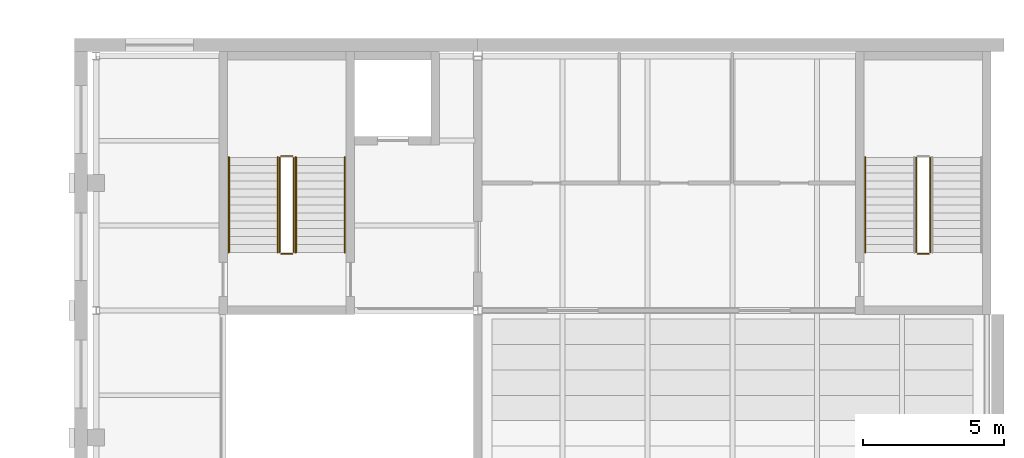
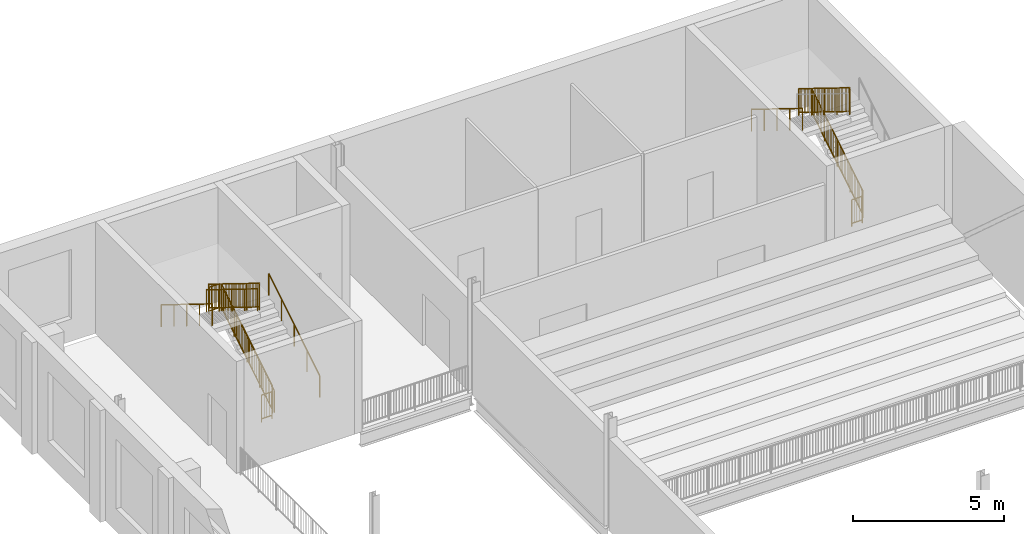
# One storey, part 73 of 74: 12 railings.
"""IFC4 building model written with IfcOpenShell, lengths in metres."""

from ifc_helpers import new_model, si_unit, direction, frame, origin, origin_2d, place, context, subcontext, project, spatial, circle, extrude, material, type_object, element, save


model = new_model("IFC4")

# Units and contexts
model_context = context("Model", 3, precision=1e-05, world=origin(), true_north=direction((0.0, 1.0)))
body_context = subcontext(model_context, "Body", "Model", "MODEL_VIEW")
ifc_project = project(units=[si_unit("LENGTHUNIT", "METRE"), si_unit("AREAUNIT", "SQUARE_METRE"), si_unit("VOLUMEUNIT", "CUBIC_METRE"), si_unit("PLANEANGLEUNIT", "RADIAN"), si_unit("MASSUNIT", "GRAM", prefix="KILO")], contexts=[model_context])

# Site, building, storey
site_placement = place(None, origin())
site = spatial("IfcSite", under=ifc_project, at=site_placement, CompositionType="ELEMENT")
building_placement = place(site_placement, origin())
building = spatial("IfcBuilding", under=site, at=building_placement, Name="Hortulan Conservatory and Botanical Research Centre", CompositionType="ELEMENT")
storey_placement = place(building_placement, frame((0.0, 0.0, 6.0)))
storey = spatial("IfcBuildingStorey", under=building, at=storey_placement, Name="L01", CompositionType="ELEMENT", Elevation=6.0)

# Railings
ifc_material_1 = material(Name="Steel balustrade, bronze-charcoal paint", Category="steel")
railing_type_1 = type_object("IfcRailingType", Name="Stair Guard 1100", PredefinedType="GUARDRAIL", material=ifc_material_1)
railing_1_placement = place(storey_placement, frame((83.5, 65.050048828125, 0.173095703125)))
element("IfcRailing", 1, at=railing_1_placement, inside=storey, type_object=railing_type_1, Name="Guard A1 L01 stair 1", PredefinedType="GUARDRAIL", context=body_context, shape_type="SweptSolid", body=[
    extrude(circle(Radius=0.02392578125, at=origin_2d()), frame((0.0, 0.0, 1.076171875), z_axis=(0.0, 0.850606129759, 0.525803396734), x_axis=(-1.0, 0.0, 0.0)), (0.0, 0.0, 1.0), 3.949951171875),
    extrude(circle(Radius=0.02392578125, at=origin_2d()), frame((0.0, 0.0, 0.1240234375), z_axis=(0.0, 0.850606129759, 0.525803396734), x_axis=(-1.0, 0.0, 0.0)), (0.0, 0.0, 1.0), 3.949951171875),
    extrude(circle(Radius=0.008056640625, at=origin_2d()), frame((0.0, 0.09326171875, 0.205810546875)), (0.0, 0.0, 1.0), 0.90380859375),
    extrude(circle(Radius=0.008056640625, at=origin_2d()), frame((0.0, 0.186767578125, 0.263671875)), (0.0, 0.0, 1.0), 0.90380859375),
    extrude(circle(Radius=0.008056640625, at=origin_2d()), frame((0.0, 0.280029296875, 0.3212890625)), (0.0, 0.0, 1.0), 0.90380859375),
    extrude(circle(Radius=0.008056640625, at=origin_2d()), frame((0.0, 0.373291015625, 0.37890625)), (0.0, 0.0, 1.0), 0.90380859375),
    extrude(circle(Radius=0.008056640625, at=origin_2d()), frame((0.0, 0.466552734375, 0.436767578125)), (0.0, 0.0, 1.0), 0.90380859375),
    extrude(circle(Radius=0.008056640625, at=origin_2d()), frame((0.0, 0.56005859375, 0.494384765625)), (0.0, 0.0, 1.0), 0.90380859375),
    extrude(circle(Radius=0.008056640625, at=origin_2d()), frame((0.0, 0.6533203125, 0.552001953125)), (0.0, 0.0, 1.0), 0.90380859375),
    extrude(circle(Radius=0.008056640625, at=origin_2d()), frame((0.0, 0.74658203125, 0.609619140625)), (0.0, 0.0, 1.0), 0.90380859375),
    extrude(circle(Radius=0.008056640625, at=origin_2d()), frame((0.0, 0.83984375, 0.66748046875)), (0.0, 0.0, 1.0), 0.90380859375),
    extrude(circle(Radius=0.008056640625, at=origin_2d()), frame((0.0, 0.933349609375, 0.72509765625)), (0.0, 0.0, 1.0), 0.90380859375),
    extrude(circle(Radius=0.008056640625, at=origin_2d()), frame((0.0, 1.026611328125, 0.78271484375)), (0.0, 0.0, 1.0), 0.90380859375),
    extrude(circle(Radius=0.008056640625, at=origin_2d()), frame((0.0, 1.119873046875, 0.840576171875)), (0.0, 0.0, 1.0), 0.90380859375),
    extrude(circle(Radius=0.008056640625, at=origin_2d()), frame((0.0, 1.21337890625, 0.898193359375)), (0.0, 0.0, 1.0), 0.90380859375),
    extrude(circle(Radius=0.008056640625, at=origin_2d()), frame((0.0, 1.306640625, 0.955810546875)), (0.0, 0.0, 1.0), 0.90380859375),
    extrude(circle(Radius=0.008056640625, at=origin_2d()), frame((0.0, 1.39990234375, 1.013671875)), (0.0, 0.0, 1.0), 0.90380859375),
    extrude(circle(Radius=0.008056640625, at=origin_2d()), frame((0.0, 1.4931640625, 1.0712890625)), (0.0, 0.0, 1.0), 0.90380859375),
    extrude(circle(Radius=0.008056640625, at=origin_2d()), frame((0.0, 1.586669921875, 1.12890625)), (0.0, 0.0, 1.0), 0.90380859375),
    extrude(circle(Radius=0.008056640625, at=origin_2d()), frame((0.0, 1.679931640625, 1.1865234375)), (0.0, 0.0, 1.0), 0.90380859375),
    extrude(circle(Radius=0.008056640625, at=origin_2d()), frame((0.0, 1.773193359375, 1.244384765625)), (0.0, 0.0, 1.0), 0.90380859375),
    extrude(circle(Radius=0.008056640625, at=origin_2d()), frame((0.0, 1.86669921875, 1.302001953125)), (0.0, 0.0, 1.0), 0.90380859375),
    extrude(circle(Radius=0.008056640625, at=origin_2d()), frame((0.0, 1.9599609375, 1.359619140625)), (0.0, 0.0, 1.0), 0.90380859375),
    extrude(circle(Radius=0.008056640625, at=origin_2d()), frame((0.0, 2.05322265625, 1.41748046875)), (0.0, 0.0, 1.0), 0.90380859375),
    extrude(circle(Radius=0.008056640625, at=origin_2d()), frame((0.0, 2.146484375, 1.47509765625)), (0.0, 0.0, 1.0), 0.90380859375),
    extrude(circle(Radius=0.008056640625, at=origin_2d()), frame((0.0, 2.239990234375, 1.53271484375)), (0.0, 0.0, 1.0), 0.90380859375),
    extrude(circle(Radius=0.008056640625, at=origin_2d()), frame((0.0, 2.333251953125, 1.590576171875)), (0.0, 0.0, 1.0), 0.90380859375),
    extrude(circle(Radius=0.008056640625, at=origin_2d()), frame((0.0, 2.426513671875, 1.648193359375)), (0.0, 0.0, 1.0), 0.90380859375),
    extrude(circle(Radius=0.008056640625, at=origin_2d()), frame((0.0, 2.52001953125, 1.705810546875)), (0.0, 0.0, 1.0), 0.90380859375),
    extrude(circle(Radius=0.008056640625, at=origin_2d()), frame((0.0, 2.61328125, 1.763671875)), (0.0, 0.0, 1.0), 0.90380859375),
    extrude(circle(Radius=0.008056640625, at=origin_2d()), frame((0.0, 2.70654296875, 1.8212890625)), (0.0, 0.0, 1.0), 0.90380859375),
    extrude(circle(Radius=0.008056640625, at=origin_2d()), frame((0.0, 2.7998046875, 1.87890625)), (0.0, 0.0, 1.0), 0.90380859375),
    extrude(circle(Radius=0.008056640625, at=origin_2d()), frame((0.0, 2.893310546875, 1.9365234375)), (0.0, 0.0, 1.0), 0.90380859375),
    extrude(circle(Radius=0.008056640625, at=origin_2d()), frame((0.0, 2.986572265625, 1.994384765625)), (0.0, 0.0, 1.0), 0.90380859375),
    extrude(circle(Radius=0.008056640625, at=origin_2d()), frame((0.0, 3.079833984375, 2.052001953125)), (0.0, 0.0, 1.0), 0.90380859375),
    extrude(circle(Radius=0.008056640625, at=origin_2d()), frame((0.0, 3.173095703125, 2.109619140625)), (0.0, 0.0, 1.0), 0.90380859375),
    extrude(circle(Radius=0.008056640625, at=origin_2d()), frame((0.0, 3.2666015625, 2.16748046875)), (0.0, 0.0, 1.0), 0.90380859375),
    extrude(circle(Radius=0.02099609375, at=origin_2d()), origin(), (0.0, 0.0, 1.0), 1.052001953125),
    extrude(circle(Radius=0.02099609375, at=origin_2d()), frame((0.0, 0.83984375, 0.519287109375)), (0.0, 0.0, 1.0), 1.052001953125),
    extrude(circle(Radius=0.02099609375, at=origin_2d()), frame((0.0, 1.679931640625, 1.03857421875)), (0.0, 0.0, 1.0), 1.052001953125),
    extrude(circle(Radius=0.02099609375, at=origin_2d()), frame((0.0, 2.52001953125, 1.5576171875)), (0.0, 0.0, 1.0), 1.052001953125),
    extrude(circle(Radius=0.02099609375, at=origin_2d()), frame((0.0, 3.35986328125, 2.076904296875)), (0.0, 0.0, 1.0), 1.052001953125),
])
railing_2_placement = place(storey_placement, frame((83.449951171875, 68.4599609375, 2.25)))
element("IfcRailing", 2, at=railing_2_placement, inside=storey, type_object=railing_type_1, Name="Guard A1 L01 stair 2", PredefinedType="GUARDRAIL", context=body_context, shape_type="SweptSolid", body=[
    extrude(circle(Radius=0.02392578125, at=origin_2d()), frame((0.0, 0.0, 1.076171875), z_axis=(-1.0, 0.0, 0.0), x_axis=(0.0, -1.0, 0.0)), (0.0, 0.0, 1.0), 0.39990234375),
    extrude(circle(Radius=0.02392578125, at=origin_2d()), frame((0.0, 0.0, 0.1240234375), z_axis=(-1.0, 0.0, 0.0), x_axis=(0.0, -1.0, 0.0)), (0.0, 0.0, 1.0), 0.39990234375),
    extrude(circle(Radius=0.008056640625, at=origin_2d()), frame((-0.10009765625, 0.0, 0.148193359375)), (0.0, 0.0, 1.0), 0.90380859375),
    extrude(circle(Radius=0.008056640625, at=origin_2d()), frame((-0.199951171875, 0.0, 0.148193359375)), (0.0, 0.0, 1.0), 0.90380859375),
    extrude(circle(Radius=0.008056640625, at=origin_2d()), frame((-0.2998046875, 0.0, 0.148193359375)), (0.0, 0.0, 1.0), 0.90380859375),
    extrude(circle(Radius=0.02099609375, at=origin_2d()), origin(), (0.0, 0.0, 1.0), 1.052001953125),
    extrude(circle(Radius=0.02099609375, at=origin_2d()), frame((-0.39990234375, 0.0, 0.0)), (0.0, 0.0, 1.0), 1.052001953125),
])
railing_3_placement = place(storey_placement, frame((83.0, 68.409912109375, 2.423095703125)))
element("IfcRailing", 3, at=railing_3_placement, inside=storey, type_object=railing_type_1, Name="Guard A1 L01 stair 3", PredefinedType="GUARDRAIL", context=body_context, shape_type="SweptSolid", body=[
    extrude(circle(Radius=0.02392578125, at=origin_2d()), frame((0.0, 0.0, 1.076171875), z_axis=(0.0, -0.850606129759, 0.525803396734), x_axis=(1.0, 0.0, 0.0)), (0.0, 0.0, 1.0), 3.949951171875),
    extrude(circle(Radius=0.02392578125, at=origin_2d()), frame((0.0, 0.0, 0.1240234375), z_axis=(0.0, -0.850606129759, 0.525803396734), x_axis=(1.0, 0.0, 0.0)), (0.0, 0.0, 1.0), 3.949951171875),
    extrude(circle(Radius=0.008056640625, at=origin_2d()), frame((0.0, -0.09326171875, 0.205810546875)), (0.0, 0.0, 1.0), 0.90380859375),
    extrude(circle(Radius=0.008056640625, at=origin_2d()), frame((0.0, -0.186767578125, 0.263671875)), (0.0, 0.0, 1.0), 0.90380859375),
    extrude(circle(Radius=0.008056640625, at=origin_2d()), frame((0.0, -0.280029296875, 0.3212890625)), (0.0, 0.0, 1.0), 0.90380859375),
    extrude(circle(Radius=0.008056640625, at=origin_2d()), frame((0.0, -0.373291015625, 0.37890625)), (0.0, 0.0, 1.0), 0.90380859375),
    extrude(circle(Radius=0.008056640625, at=origin_2d()), frame((0.0, -0.466552734375, 0.436767578125)), (0.0, 0.0, 1.0), 0.90380859375),
    extrude(circle(Radius=0.008056640625, at=origin_2d()), frame((0.0, -0.56005859375, 0.494384765625)), (0.0, 0.0, 1.0), 0.90380859375),
    extrude(circle(Radius=0.008056640625, at=origin_2d()), frame((0.0, -0.6533203125, 0.552001953125)), (0.0, 0.0, 1.0), 0.90380859375),
    extrude(circle(Radius=0.008056640625, at=origin_2d()), frame((0.0, -0.74658203125, 0.609619140625)), (0.0, 0.0, 1.0), 0.90380859375),
    extrude(circle(Radius=0.008056640625, at=origin_2d()), frame((0.0, -0.83984375, 0.66748046875)), (0.0, 0.0, 1.0), 0.90380859375),
    extrude(circle(Radius=0.008056640625, at=origin_2d()), frame((0.0, -0.933349609375, 0.72509765625)), (0.0, 0.0, 1.0), 0.90380859375),
    extrude(circle(Radius=0.008056640625, at=origin_2d()), frame((0.0, -1.026611328125, 0.78271484375)), (0.0, 0.0, 1.0), 0.90380859375),
    extrude(circle(Radius=0.008056640625, at=origin_2d()), frame((0.0, -1.119873046875, 0.840576171875)), (0.0, 0.0, 1.0), 0.90380859375),
    extrude(circle(Radius=0.008056640625, at=origin_2d()), frame((0.0, -1.21337890625, 0.898193359375)), (0.0, 0.0, 1.0), 0.90380859375),
    extrude(circle(Radius=0.008056640625, at=origin_2d()), frame((0.0, -1.306640625, 0.955810546875)), (0.0, 0.0, 1.0), 0.90380859375),
    extrude(circle(Radius=0.008056640625, at=origin_2d()), frame((0.0, -1.39990234375, 1.013671875)), (0.0, 0.0, 1.0), 0.90380859375),
    extrude(circle(Radius=0.008056640625, at=origin_2d()), frame((0.0, -1.4931640625, 1.0712890625)), (0.0, 0.0, 1.0), 0.90380859375),
    extrude(circle(Radius=0.008056640625, at=origin_2d()), frame((0.0, -1.586669921875, 1.12890625)), (0.0, 0.0, 1.0), 0.90380859375),
    extrude(circle(Radius=0.008056640625, at=origin_2d()), frame((0.0, -1.679931640625, 1.1865234375)), (0.0, 0.0, 1.0), 0.90380859375),
    extrude(circle(Radius=0.008056640625, at=origin_2d()), frame((0.0, -1.773193359375, 1.244384765625)), (0.0, 0.0, 1.0), 0.90380859375),
    extrude(circle(Radius=0.008056640625, at=origin_2d()), frame((0.0, -1.86669921875, 1.302001953125)), (0.0, 0.0, 1.0), 0.90380859375),
    extrude(circle(Radius=0.008056640625, at=origin_2d()), frame((0.0, -1.9599609375, 1.359619140625)), (0.0, 0.0, 1.0), 0.90380859375),
    extrude(circle(Radius=0.008056640625, at=origin_2d()), frame((0.0, -2.05322265625, 1.41748046875)), (0.0, 0.0, 1.0), 0.90380859375),
    extrude(circle(Radius=0.008056640625, at=origin_2d()), frame((0.0, -2.146484375, 1.47509765625)), (0.0, 0.0, 1.0), 0.90380859375),
    extrude(circle(Radius=0.008056640625, at=origin_2d()), frame((0.0, -2.239990234375, 1.53271484375)), (0.0, 0.0, 1.0), 0.90380859375),
    extrude(circle(Radius=0.008056640625, at=origin_2d()), frame((0.0, -2.333251953125, 1.590576171875)), (0.0, 0.0, 1.0), 0.90380859375),
    extrude(circle(Radius=0.008056640625, at=origin_2d()), frame((0.0, -2.426513671875, 1.648193359375)), (0.0, 0.0, 1.0), 0.90380859375),
    extrude(circle(Radius=0.008056640625, at=origin_2d()), frame((0.0, -2.52001953125, 1.705810546875)), (0.0, 0.0, 1.0), 0.90380859375),
    extrude(circle(Radius=0.008056640625, at=origin_2d()), frame((0.0, -2.61328125, 1.763671875)), (0.0, 0.0, 1.0), 0.90380859375),
    extrude(circle(Radius=0.008056640625, at=origin_2d()), frame((0.0, -2.70654296875, 1.8212890625)), (0.0, 0.0, 1.0), 0.90380859375),
    extrude(circle(Radius=0.008056640625, at=origin_2d()), frame((0.0, -2.7998046875, 1.87890625)), (0.0, 0.0, 1.0), 0.90380859375),
    extrude(circle(Radius=0.008056640625, at=origin_2d()), frame((0.0, -2.893310546875, 1.9365234375)), (0.0, 0.0, 1.0), 0.90380859375),
    extrude(circle(Radius=0.008056640625, at=origin_2d()), frame((0.0, -2.986572265625, 1.994384765625)), (0.0, 0.0, 1.0), 0.90380859375),
    extrude(circle(Radius=0.008056640625, at=origin_2d()), frame((0.0, -3.079833984375, 2.052001953125)), (0.0, 0.0, 1.0), 0.90380859375),
    extrude(circle(Radius=0.008056640625, at=origin_2d()), frame((0.0, -3.173095703125, 2.109619140625)), (0.0, 0.0, 1.0), 0.90380859375),
    extrude(circle(Radius=0.008056640625, at=origin_2d()), frame((0.0, -3.2666015625, 2.16748046875)), (0.0, 0.0, 1.0), 0.90380859375),
    extrude(circle(Radius=0.02099609375, at=origin_2d()), origin(), (0.0, 0.0, 1.0), 1.052001953125),
    extrude(circle(Radius=0.02099609375, at=origin_2d()), frame((0.0, -0.83984375, 0.519287109375)), (0.0, 0.0, 1.0), 1.052001953125),
    extrude(circle(Radius=0.02099609375, at=origin_2d()), frame((0.0, -1.679931640625, 1.03857421875)), (0.0, 0.0, 1.0), 1.052001953125),
    extrude(circle(Radius=0.02099609375, at=origin_2d()), frame((0.0, -2.52001953125, 1.5576171875)), (0.0, 0.0, 1.0), 1.052001953125),
    extrude(circle(Radius=0.02099609375, at=origin_2d()), frame((0.0, -3.35986328125, 2.076904296875)), (0.0, 0.0, 1.0), 1.052001953125),
])
railing_4_placement = place(storey_placement, frame((83.449951171875, 65.0, 0.0)))
element("IfcRailing", 4, at=railing_4_placement, inside=storey, type_object=railing_type_1, Name="Guard A1 L01 stair 4", PredefinedType="GUARDRAIL", context=body_context, shape_type="SweptSolid", body=[
    extrude(circle(Radius=0.02392578125, at=origin_2d()), frame((0.0, 0.0, 1.076171875), z_axis=(-1.0, 0.0, 0.0), x_axis=(0.0, -1.0, 0.0)), (0.0, 0.0, 1.0), 0.39990234375),
    extrude(circle(Radius=0.02392578125, at=origin_2d()), frame((0.0, 0.0, 0.1240234375), z_axis=(-1.0, 0.0, 0.0), x_axis=(0.0, -1.0, 0.0)), (0.0, 0.0, 1.0), 0.39990234375),
    extrude(circle(Radius=0.008056640625, at=origin_2d()), frame((-0.10009765625, 0.0, 0.148193359375)), (0.0, 0.0, 1.0), 0.90380859375),
    extrude(circle(Radius=0.008056640625, at=origin_2d()), frame((-0.199951171875, 0.0, 0.148193359375)), (0.0, 0.0, 1.0), 0.90380859375),
    extrude(circle(Radius=0.008056640625, at=origin_2d()), frame((-0.2998046875, 0.0, 0.148193359375)), (0.0, 0.0, 1.0), 0.90380859375),
    extrude(circle(Radius=0.02099609375, at=origin_2d()), origin(), (0.0, 0.0, 1.0), 1.052001953125),
    extrude(circle(Radius=0.02099609375, at=origin_2d()), frame((-0.39990234375, 0.0, 0.0)), (0.0, 0.0, 1.0), 1.052001953125),
])
railing_5_placement = place(storey_placement, frame((106.0, 65.050048828125, 0.173095703125)))
element("IfcRailing", 5, at=railing_5_placement, inside=storey, type_object=railing_type_1, Name="Guard A3 L01 stair 1", PredefinedType="GUARDRAIL", context=body_context, shape_type="SweptSolid", body=[
    extrude(circle(Radius=0.02392578125, at=origin_2d()), frame((0.0, 0.0, 1.076171875), z_axis=(0.0, 0.850606129759, 0.525803396734), x_axis=(-1.0, 0.0, 0.0)), (0.0, 0.0, 1.0), 3.949951171875),
    extrude(circle(Radius=0.02392578125, at=origin_2d()), frame((0.0, 0.0, 0.1240234375), z_axis=(0.0, 0.850606129759, 0.525803396734), x_axis=(-1.0, 0.0, 0.0)), (0.0, 0.0, 1.0), 3.949951171875),
    extrude(circle(Radius=0.008056640625, at=origin_2d()), frame((0.0, 0.09326171875, 0.205810546875)), (0.0, 0.0, 1.0), 0.90380859375),
    extrude(circle(Radius=0.008056640625, at=origin_2d()), frame((0.0, 0.186767578125, 0.263671875)), (0.0, 0.0, 1.0), 0.90380859375),
    extrude(circle(Radius=0.008056640625, at=origin_2d()), frame((0.0, 0.280029296875, 0.3212890625)), (0.0, 0.0, 1.0), 0.90380859375),
    extrude(circle(Radius=0.008056640625, at=origin_2d()), frame((0.0, 0.373291015625, 0.37890625)), (0.0, 0.0, 1.0), 0.90380859375),
    extrude(circle(Radius=0.008056640625, at=origin_2d()), frame((0.0, 0.466552734375, 0.436767578125)), (0.0, 0.0, 1.0), 0.90380859375),
    extrude(circle(Radius=0.008056640625, at=origin_2d()), frame((0.0, 0.56005859375, 0.494384765625)), (0.0, 0.0, 1.0), 0.90380859375),
    extrude(circle(Radius=0.008056640625, at=origin_2d()), frame((0.0, 0.6533203125, 0.552001953125)), (0.0, 0.0, 1.0), 0.90380859375),
    extrude(circle(Radius=0.008056640625, at=origin_2d()), frame((0.0, 0.74658203125, 0.609619140625)), (0.0, 0.0, 1.0), 0.90380859375),
    extrude(circle(Radius=0.008056640625, at=origin_2d()), frame((0.0, 0.83984375, 0.66748046875)), (0.0, 0.0, 1.0), 0.90380859375),
    extrude(circle(Radius=0.008056640625, at=origin_2d()), frame((0.0, 0.933349609375, 0.72509765625)), (0.0, 0.0, 1.0), 0.90380859375),
    extrude(circle(Radius=0.008056640625, at=origin_2d()), frame((0.0, 1.026611328125, 0.78271484375)), (0.0, 0.0, 1.0), 0.90380859375),
    extrude(circle(Radius=0.008056640625, at=origin_2d()), frame((0.0, 1.119873046875, 0.840576171875)), (0.0, 0.0, 1.0), 0.90380859375),
    extrude(circle(Radius=0.008056640625, at=origin_2d()), frame((0.0, 1.21337890625, 0.898193359375)), (0.0, 0.0, 1.0), 0.90380859375),
    extrude(circle(Radius=0.008056640625, at=origin_2d()), frame((0.0, 1.306640625, 0.955810546875)), (0.0, 0.0, 1.0), 0.90380859375),
    extrude(circle(Radius=0.008056640625, at=origin_2d()), frame((0.0, 1.39990234375, 1.013671875)), (0.0, 0.0, 1.0), 0.90380859375),
    extrude(circle(Radius=0.008056640625, at=origin_2d()), frame((0.0, 1.4931640625, 1.0712890625)), (0.0, 0.0, 1.0), 0.90380859375),
    extrude(circle(Radius=0.008056640625, at=origin_2d()), frame((0.0, 1.586669921875, 1.12890625)), (0.0, 0.0, 1.0), 0.90380859375),
    extrude(circle(Radius=0.008056640625, at=origin_2d()), frame((0.0, 1.679931640625, 1.1865234375)), (0.0, 0.0, 1.0), 0.90380859375),
    extrude(circle(Radius=0.008056640625, at=origin_2d()), frame((0.0, 1.773193359375, 1.244384765625)), (0.0, 0.0, 1.0), 0.90380859375),
    extrude(circle(Radius=0.008056640625, at=origin_2d()), frame((0.0, 1.86669921875, 1.302001953125)), (0.0, 0.0, 1.0), 0.90380859375),
    extrude(circle(Radius=0.008056640625, at=origin_2d()), frame((0.0, 1.9599609375, 1.359619140625)), (0.0, 0.0, 1.0), 0.90380859375),
    extrude(circle(Radius=0.008056640625, at=origin_2d()), frame((0.0, 2.05322265625, 1.41748046875)), (0.0, 0.0, 1.0), 0.90380859375),
    extrude(circle(Radius=0.008056640625, at=origin_2d()), frame((0.0, 2.146484375, 1.47509765625)), (0.0, 0.0, 1.0), 0.90380859375),
    extrude(circle(Radius=0.008056640625, at=origin_2d()), frame((0.0, 2.239990234375, 1.53271484375)), (0.0, 0.0, 1.0), 0.90380859375),
    extrude(circle(Radius=0.008056640625, at=origin_2d()), frame((0.0, 2.333251953125, 1.590576171875)), (0.0, 0.0, 1.0), 0.90380859375),
    extrude(circle(Radius=0.008056640625, at=origin_2d()), frame((0.0, 2.426513671875, 1.648193359375)), (0.0, 0.0, 1.0), 0.90380859375),
    extrude(circle(Radius=0.008056640625, at=origin_2d()), frame((0.0, 2.52001953125, 1.705810546875)), (0.0, 0.0, 1.0), 0.90380859375),
    extrude(circle(Radius=0.008056640625, at=origin_2d()), frame((0.0, 2.61328125, 1.763671875)), (0.0, 0.0, 1.0), 0.90380859375),
    extrude(circle(Radius=0.008056640625, at=origin_2d()), frame((0.0, 2.70654296875, 1.8212890625)), (0.0, 0.0, 1.0), 0.90380859375),
    extrude(circle(Radius=0.008056640625, at=origin_2d()), frame((0.0, 2.7998046875, 1.87890625)), (0.0, 0.0, 1.0), 0.90380859375),
    extrude(circle(Radius=0.008056640625, at=origin_2d()), frame((0.0, 2.893310546875, 1.9365234375)), (0.0, 0.0, 1.0), 0.90380859375),
    extrude(circle(Radius=0.008056640625, at=origin_2d()), frame((0.0, 2.986572265625, 1.994384765625)), (0.0, 0.0, 1.0), 0.90380859375),
    extrude(circle(Radius=0.008056640625, at=origin_2d()), frame((0.0, 3.079833984375, 2.052001953125)), (0.0, 0.0, 1.0), 0.90380859375),
    extrude(circle(Radius=0.008056640625, at=origin_2d()), frame((0.0, 3.173095703125, 2.109619140625)), (0.0, 0.0, 1.0), 0.90380859375),
    extrude(circle(Radius=0.008056640625, at=origin_2d()), frame((0.0, 3.2666015625, 2.16748046875)), (0.0, 0.0, 1.0), 0.90380859375),
    extrude(circle(Radius=0.02099609375, at=origin_2d()), origin(), (0.0, 0.0, 1.0), 1.052001953125),
    extrude(circle(Radius=0.02099609375, at=origin_2d()), frame((0.0, 0.83984375, 0.519287109375)), (0.0, 0.0, 1.0), 1.052001953125),
    extrude(circle(Radius=0.02099609375, at=origin_2d()), frame((0.0, 1.679931640625, 1.03857421875)), (0.0, 0.0, 1.0), 1.052001953125),
    extrude(circle(Radius=0.02099609375, at=origin_2d()), frame((0.0, 2.52001953125, 1.5576171875)), (0.0, 0.0, 1.0), 1.052001953125),
    extrude(circle(Radius=0.02099609375, at=origin_2d()), frame((0.0, 3.35986328125, 2.076904296875)), (0.0, 0.0, 1.0), 1.052001953125),
])
railing_6_placement = place(storey_placement, frame((105.5, 68.409912109375, 2.423095703125)))
element("IfcRailing", 6, at=railing_6_placement, inside=storey, type_object=railing_type_1, Name="Guard A3 L01 stair 3", PredefinedType="GUARDRAIL", context=body_context, shape_type="SweptSolid", body=[
    extrude(circle(Radius=0.02392578125, at=origin_2d()), frame((0.0, 0.0, 1.076171875), z_axis=(0.0, -0.850606129759, 0.525803396734), x_axis=(1.0, 0.0, 0.0)), (0.0, 0.0, 1.0), 3.949951171875),
    extrude(circle(Radius=0.02392578125, at=origin_2d()), frame((0.0, 0.0, 0.1240234375), z_axis=(0.0, -0.850606129759, 0.525803396734), x_axis=(1.0, 0.0, 0.0)), (0.0, 0.0, 1.0), 3.949951171875),
    extrude(circle(Radius=0.008056640625, at=origin_2d()), frame((0.0, -0.09326171875, 0.205810546875)), (0.0, 0.0, 1.0), 0.90380859375),
    extrude(circle(Radius=0.008056640625, at=origin_2d()), frame((0.0, -0.186767578125, 0.263671875)), (0.0, 0.0, 1.0), 0.90380859375),
    extrude(circle(Radius=0.008056640625, at=origin_2d()), frame((0.0, -0.280029296875, 0.3212890625)), (0.0, 0.0, 1.0), 0.90380859375),
    extrude(circle(Radius=0.008056640625, at=origin_2d()), frame((0.0, -0.373291015625, 0.37890625)), (0.0, 0.0, 1.0), 0.90380859375),
    extrude(circle(Radius=0.008056640625, at=origin_2d()), frame((0.0, -0.466552734375, 0.436767578125)), (0.0, 0.0, 1.0), 0.90380859375),
    extrude(circle(Radius=0.008056640625, at=origin_2d()), frame((0.0, -0.56005859375, 0.494384765625)), (0.0, 0.0, 1.0), 0.90380859375),
    extrude(circle(Radius=0.008056640625, at=origin_2d()), frame((0.0, -0.6533203125, 0.552001953125)), (0.0, 0.0, 1.0), 0.90380859375),
    extrude(circle(Radius=0.008056640625, at=origin_2d()), frame((0.0, -0.74658203125, 0.609619140625)), (0.0, 0.0, 1.0), 0.90380859375),
    extrude(circle(Radius=0.008056640625, at=origin_2d()), frame((0.0, -0.83984375, 0.66748046875)), (0.0, 0.0, 1.0), 0.90380859375),
    extrude(circle(Radius=0.008056640625, at=origin_2d()), frame((0.0, -0.933349609375, 0.72509765625)), (0.0, 0.0, 1.0), 0.90380859375),
    extrude(circle(Radius=0.008056640625, at=origin_2d()), frame((0.0, -1.026611328125, 0.78271484375)), (0.0, 0.0, 1.0), 0.90380859375),
    extrude(circle(Radius=0.008056640625, at=origin_2d()), frame((0.0, -1.119873046875, 0.840576171875)), (0.0, 0.0, 1.0), 0.90380859375),
    extrude(circle(Radius=0.008056640625, at=origin_2d()), frame((0.0, -1.21337890625, 0.898193359375)), (0.0, 0.0, 1.0), 0.90380859375),
    extrude(circle(Radius=0.008056640625, at=origin_2d()), frame((0.0, -1.306640625, 0.955810546875)), (0.0, 0.0, 1.0), 0.90380859375),
    extrude(circle(Radius=0.008056640625, at=origin_2d()), frame((0.0, -1.39990234375, 1.013671875)), (0.0, 0.0, 1.0), 0.90380859375),
    extrude(circle(Radius=0.008056640625, at=origin_2d()), frame((0.0, -1.4931640625, 1.0712890625)), (0.0, 0.0, 1.0), 0.90380859375),
    extrude(circle(Radius=0.008056640625, at=origin_2d()), frame((0.0, -1.586669921875, 1.12890625)), (0.0, 0.0, 1.0), 0.90380859375),
    extrude(circle(Radius=0.008056640625, at=origin_2d()), frame((0.0, -1.679931640625, 1.1865234375)), (0.0, 0.0, 1.0), 0.90380859375),
    extrude(circle(Radius=0.008056640625, at=origin_2d()), frame((0.0, -1.773193359375, 1.244384765625)), (0.0, 0.0, 1.0), 0.90380859375),
    extrude(circle(Radius=0.008056640625, at=origin_2d()), frame((0.0, -1.86669921875, 1.302001953125)), (0.0, 0.0, 1.0), 0.90380859375),
    extrude(circle(Radius=0.008056640625, at=origin_2d()), frame((0.0, -1.9599609375, 1.359619140625)), (0.0, 0.0, 1.0), 0.90380859375),
    extrude(circle(Radius=0.008056640625, at=origin_2d()), frame((0.0, -2.05322265625, 1.41748046875)), (0.0, 0.0, 1.0), 0.90380859375),
    extrude(circle(Radius=0.008056640625, at=origin_2d()), frame((0.0, -2.146484375, 1.47509765625)), (0.0, 0.0, 1.0), 0.90380859375),
    extrude(circle(Radius=0.008056640625, at=origin_2d()), frame((0.0, -2.239990234375, 1.53271484375)), (0.0, 0.0, 1.0), 0.90380859375),
    extrude(circle(Radius=0.008056640625, at=origin_2d()), frame((0.0, -2.333251953125, 1.590576171875)), (0.0, 0.0, 1.0), 0.90380859375),
    extrude(circle(Radius=0.008056640625, at=origin_2d()), frame((0.0, -2.426513671875, 1.648193359375)), (0.0, 0.0, 1.0), 0.90380859375),
    extrude(circle(Radius=0.008056640625, at=origin_2d()), frame((0.0, -2.52001953125, 1.705810546875)), (0.0, 0.0, 1.0), 0.90380859375),
    extrude(circle(Radius=0.008056640625, at=origin_2d()), frame((0.0, -2.61328125, 1.763671875)), (0.0, 0.0, 1.0), 0.90380859375),
    extrude(circle(Radius=0.008056640625, at=origin_2d()), frame((0.0, -2.70654296875, 1.8212890625)), (0.0, 0.0, 1.0), 0.90380859375),
    extrude(circle(Radius=0.008056640625, at=origin_2d()), frame((0.0, -2.7998046875, 1.87890625)), (0.0, 0.0, 1.0), 0.90380859375),
    extrude(circle(Radius=0.008056640625, at=origin_2d()), frame((0.0, -2.893310546875, 1.9365234375)), (0.0, 0.0, 1.0), 0.90380859375),
    extrude(circle(Radius=0.008056640625, at=origin_2d()), frame((0.0, -2.986572265625, 1.994384765625)), (0.0, 0.0, 1.0), 0.90380859375),
    extrude(circle(Radius=0.008056640625, at=origin_2d()), frame((0.0, -3.079833984375, 2.052001953125)), (0.0, 0.0, 1.0), 0.90380859375),
    extrude(circle(Radius=0.008056640625, at=origin_2d()), frame((0.0, -3.173095703125, 2.109619140625)), (0.0, 0.0, 1.0), 0.90380859375),
    extrude(circle(Radius=0.008056640625, at=origin_2d()), frame((0.0, -3.2666015625, 2.16748046875)), (0.0, 0.0, 1.0), 0.90380859375),
    extrude(circle(Radius=0.02099609375, at=origin_2d()), origin(), (0.0, 0.0, 1.0), 1.052001953125),
    extrude(circle(Radius=0.02099609375, at=origin_2d()), frame((0.0, -0.83984375, 0.519287109375)), (0.0, 0.0, 1.0), 1.052001953125),
    extrude(circle(Radius=0.02099609375, at=origin_2d()), frame((0.0, -1.679931640625, 1.03857421875)), (0.0, 0.0, 1.0), 1.052001953125),
    extrude(circle(Radius=0.02099609375, at=origin_2d()), frame((0.0, -2.52001953125, 1.5576171875)), (0.0, 0.0, 1.0), 1.052001953125),
    extrude(circle(Radius=0.02099609375, at=origin_2d()), frame((0.0, -3.35986328125, 2.076904296875)), (0.0, 0.0, 1.0), 1.052001953125),
])
railing_7_placement = place(storey_placement, frame((105.949951171875, 65.0, 0.0)))
element("IfcRailing", 7, at=railing_7_placement, inside=storey, type_object=railing_type_1, Name="Guard A3 L01 stair 4", PredefinedType="GUARDRAIL", context=body_context, shape_type="SweptSolid", body=[
    extrude(circle(Radius=0.02392578125, at=origin_2d()), frame((0.0, 0.0, 1.076171875), z_axis=(-1.0, 0.0, 0.0), x_axis=(0.0, -1.0, 0.0)), (0.0, 0.0, 1.0), 0.39990234375),
    extrude(circle(Radius=0.02392578125, at=origin_2d()), frame((0.0, 0.0, 0.1240234375), z_axis=(-1.0, 0.0, 0.0), x_axis=(0.0, -1.0, 0.0)), (0.0, 0.0, 1.0), 0.39990234375),
    extrude(circle(Radius=0.008056640625, at=origin_2d()), frame((-0.10009765625, 0.0, 0.148193359375)), (0.0, 0.0, 1.0), 0.90380859375),
    extrude(circle(Radius=0.008056640625, at=origin_2d()), frame((-0.199951171875, 0.0, 0.148193359375)), (0.0, 0.0, 1.0), 0.90380859375),
    extrude(circle(Radius=0.008056640625, at=origin_2d()), frame((-0.2998046875, 0.0, 0.148193359375)), (0.0, 0.0, 1.0), 0.90380859375),
    extrude(circle(Radius=0.02099609375, at=origin_2d()), origin(), (0.0, 0.0, 1.0), 1.052001953125),
    extrude(circle(Radius=0.02099609375, at=origin_2d()), frame((-0.39990234375, 0.0, 0.0)), (0.0, 0.0, 1.0), 1.052001953125),
])
ifc_material_2 = material(Name="Bronze handrail, polished", Category="metal")
railing_type_2 = type_object("IfcRailingType", Name="Stair Handrail 900", PredefinedType="HANDRAIL", material=ifc_material_2)
railing_8_placement = place(storey_placement, frame((85.300048828125, 65.050048828125, 0.173095703125)))
element("IfcRailing", 8, at=railing_8_placement, inside=storey, type_object=railing_type_2, Name="Handrail A1 L01 stair 1", PredefinedType="HANDRAIL", context=body_context, shape_type="SweptSolid", body=[
    extrude(circle(Radius=0.02392578125, at=origin_2d()), frame((0.0, 0.0, 0.8759765625), z_axis=(0.0, 0.850606129759, 0.525803396734), x_axis=(-1.0, 0.0, 0.0)), (0.0, 0.0, 1.0), 3.949951171875),
    extrude(circle(Radius=0.02099609375, at=origin_2d()), origin(), (0.0, 0.0, 1.0), 0.851806640625),
    extrude(circle(Radius=0.02099609375, at=origin_2d()), frame((0.0, 0.83984375, 0.519287109375)), (0.0, 0.0, 1.0), 0.851806640625),
    extrude(circle(Radius=0.02099609375, at=origin_2d()), frame((0.0, 1.679931640625, 1.03857421875)), (0.0, 0.0, 1.0), 0.851806640625),
    extrude(circle(Radius=0.02099609375, at=origin_2d()), frame((0.0, 2.52001953125, 1.5576171875)), (0.0, 0.0, 1.0), 0.851806640625),
    extrude(circle(Radius=0.02099609375, at=origin_2d()), frame((0.0, 3.35986328125, 2.076904296875)), (0.0, 0.0, 1.0), 0.851806640625),
])
railing_9_placement = place(storey_placement, frame((81.199951171875, 68.409912109375, 2.423095703125)))
element("IfcRailing", 9, at=railing_9_placement, inside=storey, type_object=railing_type_2, Name="Handrail A1 L01 stair 2", PredefinedType="HANDRAIL", context=body_context, shape_type="SweptSolid", body=[
    extrude(circle(Radius=0.02392578125, at=origin_2d()), frame((0.0, 0.0, 0.8759765625), z_axis=(0.0, -0.850606129759, 0.525803396734), x_axis=(1.0, 0.0, 0.0)), (0.0, 0.0, 1.0), 3.949951171875),
    extrude(circle(Radius=0.02099609375, at=origin_2d()), origin(), (0.0, 0.0, 1.0), 0.851806640625),
    extrude(circle(Radius=0.02099609375, at=origin_2d()), frame((0.0, -0.83984375, 0.519287109375)), (0.0, 0.0, 1.0), 0.851806640625),
    extrude(circle(Radius=0.02099609375, at=origin_2d()), frame((0.0, -1.679931640625, 1.03857421875)), (0.0, 0.0, 1.0), 0.851806640625),
    extrude(circle(Radius=0.02099609375, at=origin_2d()), frame((0.0, -2.52001953125, 1.5576171875)), (0.0, 0.0, 1.0), 0.851806640625),
    extrude(circle(Radius=0.02099609375, at=origin_2d()), frame((0.0, -3.35986328125, 2.076904296875)), (0.0, 0.0, 1.0), 0.851806640625),
])
railing_10_placement = place(storey_placement, frame((83.570068359375, 65.050048828125, 0.173095703125)))
element("IfcRailing", 10, at=railing_10_placement, inside=storey, type_object=railing_type_2, Name="Handrail A1 L01 stair 3", PredefinedType="HANDRAIL", context=body_context, shape_type="SweptSolid", body=[
    extrude(circle(Radius=0.02392578125, at=origin_2d()), frame((0.0, 0.0, 0.8759765625), z_axis=(0.0, 0.850606129759, 0.525803396734), x_axis=(-1.0, 0.0, 0.0)), (0.0, 0.0, 1.0), 3.949951171875),
    extrude(circle(Radius=0.02099609375, at=origin_2d()), origin(), (0.0, 0.0, 1.0), 0.851806640625),
    extrude(circle(Radius=0.02099609375, at=origin_2d()), frame((0.0, 0.83984375, 0.519287109375)), (0.0, 0.0, 1.0), 0.851806640625),
    extrude(circle(Radius=0.02099609375, at=origin_2d()), frame((0.0, 1.679931640625, 1.03857421875)), (0.0, 0.0, 1.0), 0.851806640625),
    extrude(circle(Radius=0.02099609375, at=origin_2d()), frame((0.0, 2.52001953125, 1.5576171875)), (0.0, 0.0, 1.0), 0.851806640625),
    extrude(circle(Radius=0.02099609375, at=origin_2d()), frame((0.0, 3.35986328125, 2.076904296875)), (0.0, 0.0, 1.0), 0.851806640625),
])
for number, where, name in (
    (11, (82.929931640625, 68.409912109375, 2.423095703125), "Handrail A1 L01 stair 4"),
    (12, (103.699951171875, 68.409912109375, 2.423095703125), "Handrail A3 L01 stair 2"),
):
    element("IfcRailing", number, at=place(storey_placement, frame(where)), inside=storey, type_object=railing_type_2, Name=name, PredefinedType="HANDRAIL", context=body_context, shape_type="SweptSolid", body=[
        extrude(circle(Radius=0.02392578125, at=origin_2d()), frame((0.0, 0.0, 0.8759765625), z_axis=(0.0, -0.850606129759, 0.525803396734), x_axis=(1.0, 0.0, 0.0)), (0.0, 0.0, 1.0), 3.949951171875),
        extrude(circle(Radius=0.02099609375, at=origin_2d()), origin(), (0.0, 0.0, 1.0), 0.851806640625),
        extrude(circle(Radius=0.02099609375, at=origin_2d()), frame((0.0, -0.83984375, 0.519287109375)), (0.0, 0.0, 1.0), 0.851806640625),
        extrude(circle(Radius=0.02099609375, at=origin_2d()), frame((0.0, -1.679931640625, 1.03857421875)), (0.0, 0.0, 1.0), 0.851806640625),
        extrude(circle(Radius=0.02099609375, at=origin_2d()), frame((0.0, -2.52001953125, 1.5576171875)), (0.0, 0.0, 1.0), 0.851806640625),
        extrude(circle(Radius=0.02099609375, at=origin_2d()), frame((0.0, -3.35986328125, 2.076904296875)), (0.0, 0.0, 1.0), 0.851806640625),
    ])

save(model, "model.ifc")
